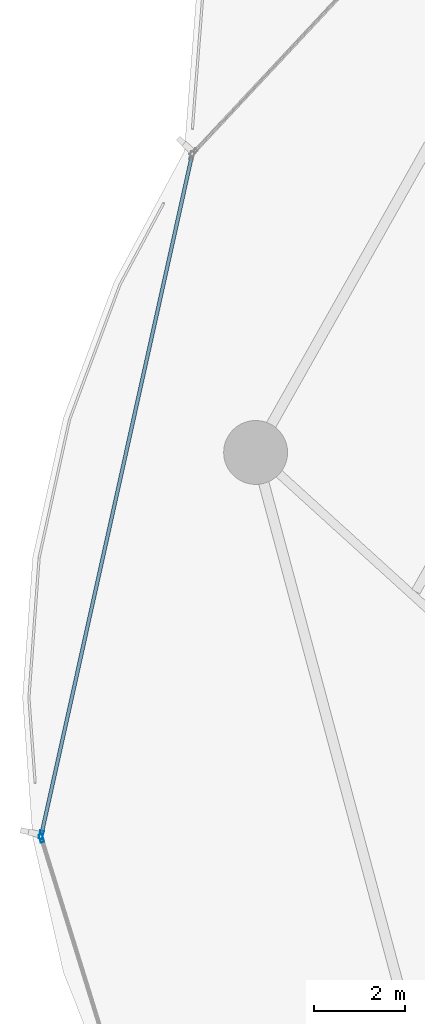
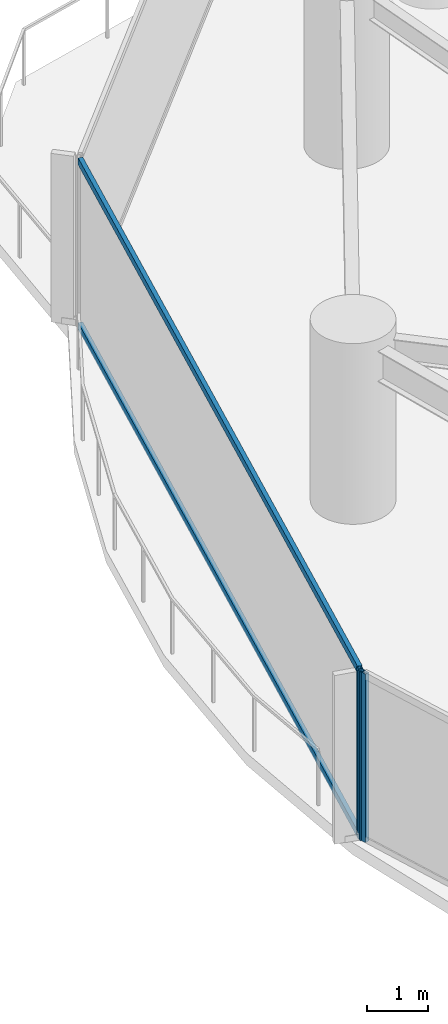
# One storey, part 8 of 33: 4 members, 2 elements without a shape of their own.
"""IFC4 building model written with IfcOpenShell, lengths in metres."""

from ifc_helpers import new_model, si_unit, direction, frame, origin, origin_2d, place, context, subcontext, project, spatial, hollow_rectangle, extrude, material, layer, layer_set, material_profile, profile_set, type_object, element, aggregate, save


model = new_model("IFC4")

# Units and contexts
model_context = context("Model", 3, precision=1e-05, world=origin(), true_north=direction((0.0, 1.0)))
body_context = subcontext(model_context, "Body", "Model", "MODEL_VIEW")
ifc_project = project(units=[si_unit("LENGTHUNIT", "METRE"), si_unit("AREAUNIT", "SQUARE_METRE"), si_unit("VOLUMEUNIT", "CUBIC_METRE"), si_unit("PLANEANGLEUNIT", "RADIAN"), si_unit("MASSUNIT", "GRAM", prefix="KILO")], contexts=[model_context])

# Site, building, storey
site_placement = place(None, origin())
site = spatial("IfcSite", under=ifc_project, at=site_placement, CompositionType="ELEMENT")
building_placement = place(site_placement, origin())
building = spatial("IfcBuilding", under=site, at=building_placement, Name="Kazevale Care Tower and Concert Hall", CompositionType="ELEMENT")
storey_placement = place(building_placement, frame((0.0, 0.0, 31.199951171875)))
storey = spatial("IfcBuildingStorey", under=building, at=storey_placement, Name="L07", CompositionType="ELEMENT", Elevation=31.199951171875)

# Curtain wall, member
ifc_material_1 = material(Name="Aluminium 6063-T6 and Low-E Glass", Category="aluminium")
ifc_layer = layer(ifc_material_1, 0.179931640625)
ifc_layer_set = layer_set([ifc_layer], Name="Aluminium 6063-T6 and Low-E Glass")
curtain_wall_type = type_object("IfcCurtainWallType", Name="Waist & Upper Residential Curtain Wall CW-4", PredefinedType="NOTDEFINED", material=ifc_layer_set)
curtain_wall_1_placement = place(storey_placement, origin())
curtain_wall_1 = element("IfcCurtainWall", 1, at=curtain_wall_1_placement, inside=storey, type_object=curtain_wall_type, Name="cw:L07:f12", PredefinedType="NOTDEFINED")
ifc_material_2 = material(Name="Aluminium 6063-T6", Category="aluminium")
ifc_material_profile_1 = material_profile(ifc_material_2, hollow_rectangle(XDim=0.080078125, YDim=0.179931640625, WallThickness=0.0048828125, at=origin_2d()), Name="ALU80x180x5")
ifc_profile_set_1 = profile_set([ifc_material_profile_1], Name="Aluminium 6063-T6")
member_type_1 = type_object("IfcMemberType", Name="CW-4 Mullion ALU80x180x5", PredefinedType="MULLION", material=ifc_profile_set_1)
member_1_placement = place(storey_placement, frame((9.61572265625, 34.919677734375, 0.0), z_axis=(0.0, 0.0, 1.0), x_axis=(-0.955157326175, -0.296098771112, 0.0)))
member_1 = element("IfcMember", 2, at=member_1_placement, type_object=member_type_1, Name="CW-4 mullion 2", PredefinedType="MULLION", context=body_context, shape_type="SweptSolid", body=[
    extrude(hollow_rectangle(XDim=0.080078125, YDim=0.179931640625, WallThickness=0.0048828125, at=origin_2d()), origin(), (0.0, 0.0, 1.0), 3.360107421875),
])
aggregate(curtain_wall_1, [member_1])

# Curtain wall, members
curtain_wall_2_placement = place(storey_placement, origin())
curtain_wall_2 = element("IfcCurtainWall", 3, at=curtain_wall_2_placement, inside=storey, type_object=curtain_wall_type, Name="cw:L07:f13", PredefinedType="NOTDEFINED")
member_2_placement = place(storey_placement, frame((9.612548828125, 34.9970703125, 0.0), z_axis=(0.0, 0.0, 1.0), x_axis=(-0.976291328475, 0.216460716862, 0.0)))
member_2 = element("IfcMember", 4, at=member_2_placement, type_object=member_type_1, Name="CW-4 mullion 1", PredefinedType="MULLION", context=body_context, shape_type="SweptSolid", body=[
    extrude(hollow_rectangle(XDim=0.080078125, YDim=0.179931640625, WallThickness=0.0048828125, at=origin_2d()), origin(), (0.0, 0.0, 1.0), 3.360107421875),
])
ifc_material_profile_2 = material_profile(ifc_material_2, hollow_rectangle(XDim=0.080078125, YDim=0.139892578125, WallThickness=0.00390625, at=origin_2d()), Name="ALU80x140x4")
ifc_profile_set_2 = profile_set([ifc_material_profile_2], Name="Aluminium 6063-T6")
member_type_2 = type_object("IfcMemberType", Name="CW-4 Transom ALU80x140x4", PredefinedType="USERDEFINED", material=ifc_profile_set_2)
member_3_placement = place(storey_placement, frame((9.621337890625, 35.0361328125, 0.0400390625), z_axis=(0.216465185417, 0.976290337708, 0.0), x_axis=(-0.976290337708, 0.216465185417, 0.0)))
member_3 = element("IfcMember", 5, at=member_3_placement, type_object=member_type_2, Name="CW-4 transom 1.1", ObjectType="TRANSOM", PredefinedType="USERDEFINED", context=body_context, shape_type="SweptSolid", body=[
    extrude(hollow_rectangle(XDim=0.080078125, YDim=0.139892578125, WallThickness=0.00390625, at=origin_2d()), origin(), (0.0, 0.0, 1.0), 15.16845703125),
])
member_4_placement = place(storey_placement, frame((9.621337890625, 35.0361328125, 3.320068359375), z_axis=(0.216465185417, 0.976290337708, 0.0), x_axis=(-0.976290337708, 0.216465185417, 0.0)))
member_4 = element("IfcMember", 6, at=member_4_placement, type_object=member_type_2, Name="CW-4 transom 1.2", ObjectType="TRANSOM", PredefinedType="USERDEFINED", context=body_context, shape_type="SweptSolid", body=[
    extrude(hollow_rectangle(XDim=0.080078125, YDim=0.139892578125, WallThickness=0.00390625, at=origin_2d()), origin(), (0.0, 0.0, 1.0), 15.16845703125),
])
aggregate(curtain_wall_2, [member_2, member_3, member_4])

save(model, "model.ifc")
